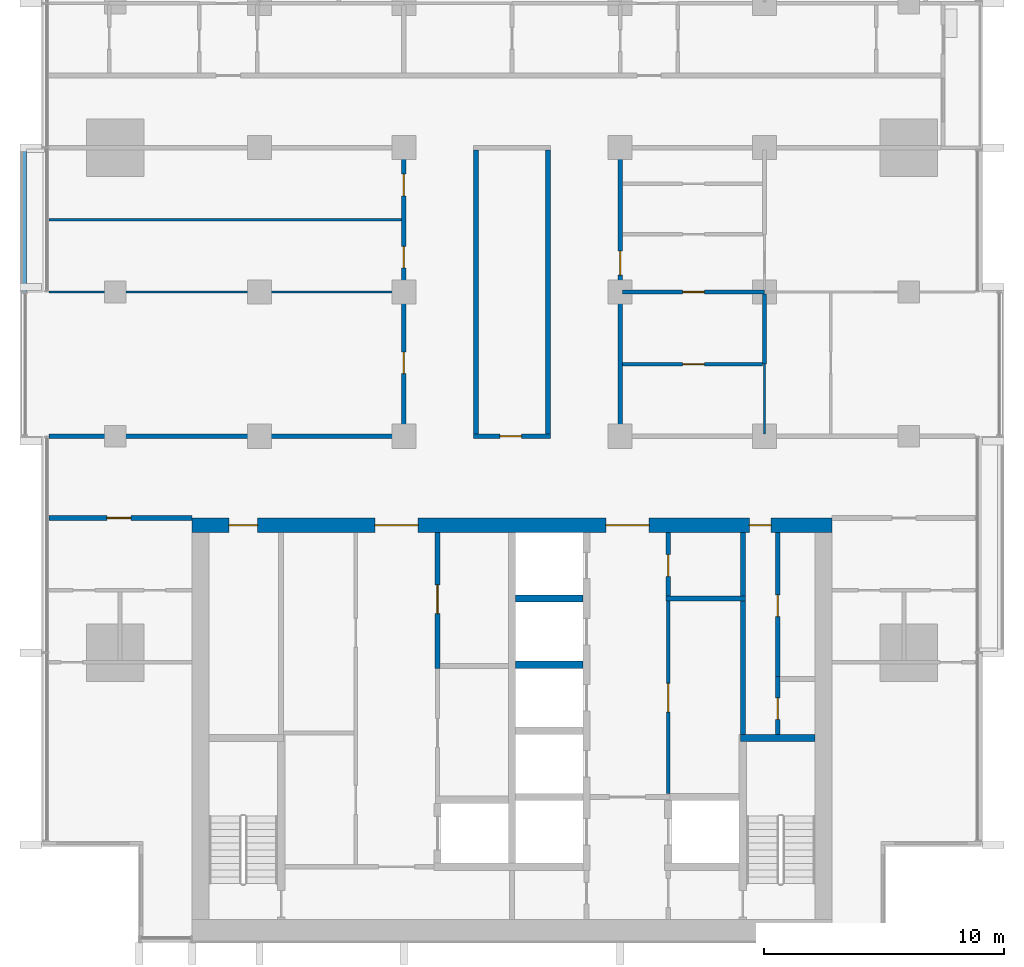
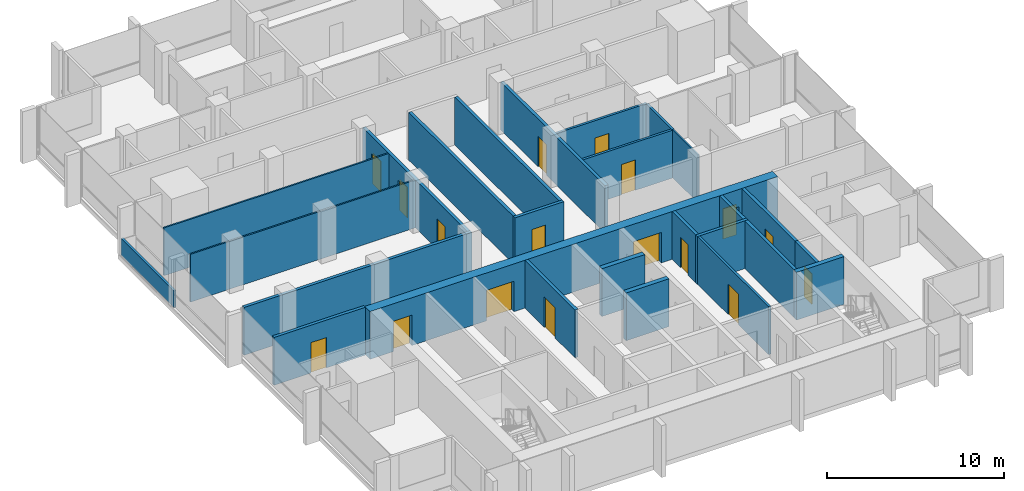
# One storey, part 8 of 16: 26 walls, 17 doors, 17 openings.
"""IFC4 building model written with IfcOpenShell, lengths in metres."""

from ifc_helpers import new_model, si_unit, direction, frame, frame_2d, origin, place, context, subcontext, project, spatial, rectangle, extrude, material, layer, layer_set, type_object, element, fill, save


model = new_model("IFC4")

# Units and contexts
model_context = context("Model", 3, precision=1e-05, world=origin(), true_north=direction((0.0, 1.0)))
body_context = subcontext(model_context, "Body", "Model", "MODEL_VIEW")
ifc_project = project(units=[si_unit("LENGTHUNIT", "METRE"), si_unit("AREAUNIT", "SQUARE_METRE"), si_unit("VOLUMEUNIT", "CUBIC_METRE"), si_unit("PLANEANGLEUNIT", "RADIAN"), si_unit("MASSUNIT", "GRAM", prefix="KILO")], contexts=[model_context])

# Site, building, storey
site_placement = place(None, origin())
site = spatial("IfcSite", under=ifc_project, at=site_placement, CompositionType="ELEMENT")
building_placement = place(site_placement, origin())
building = spatial("IfcBuilding", under=site, at=building_placement, Name="Finial Court Residences", CompositionType="ELEMENT")
storey_placement = place(building_placement, frame((0.0, 0.0, 156.5)))
storey = spatial("IfcBuildingStorey", under=building, at=storey_placement, Name="L38", CompositionType="ELEMENT", Elevation=156.5)

# Wall, openings, doors
ifc_material_1 = material(Name="Concrete C70/85", Category="concrete")
ifc_layer_1 = layer(ifc_material_1, 0.60009765625)
ifc_layer_set_1 = layer_set([ifc_layer_1], Name="Core outer wall 600 Concrete C70/85")
wall_type_1 = type_object("IfcWallType", Name="Core outer wall 600 Concrete C70/85", PredefinedType="SHEAR", material=ifc_layer_set_1)
wall_1_placement = place(storey_placement, frame((-13.300048828125, -8.199951171875, 0.0), z_axis=(0.0, 0.0, 1.0), x_axis=(1.0, 0.0, 0.0)))
wall_1 = element("IfcWall", 1, at=wall_1_placement, inside=storey, type_object=wall_type_1, Name="Core outer wall L38-02", PredefinedType="SHEAR", context=body_context, shape_type="SweptSolid", body=[
    extrude(rectangle(XDim=26.60009765625, YDim=0.60009765625, at=frame_2d((13.300048828125, 0.0))), origin(), (0.0, 0.0, 1.0), 3.300048828125),
])
opening_1_placement = place(wall_1_placement, frame((7.60009765625, 0.0, 0.0)))
opening_1 = element("IfcOpeningElement", 2, at=opening_1_placement, cuts=wall_1, Name="Opening L38-C04", PredefinedType="OPENING", context=body_context, shape_type="SweptSolid", body=[
    extrude(rectangle(XDim=1.800048828125, YDim=2.10009765625, at=frame_2d((0.89990234375, 1.050048828125))), frame((0.0, 0.31005859375, 0.0), z_axis=(0.0, -1.0, 0.0), x_axis=(1.0, 0.0, 0.0)), (0.0, 0.0, 1.0), 0.6201171875),
])
opening_2_placement = place(wall_1_placement, frame((17.199951171875, 0.0, 0.0)))
opening_2 = element("IfcOpeningElement", 3, at=opening_2_placement, cuts=wall_1, Name="Opening L38-C05", PredefinedType="OPENING", context=body_context, shape_type="SweptSolid", body=[
    extrude(rectangle(XDim=1.800048828125, YDim=2.10009765625, at=frame_2d((0.89990234375, 1.050048828125))), frame((0.0, 0.31005859375, 0.0), z_axis=(0.0, -1.0, 0.0), x_axis=(1.0, 0.0, 0.0)), (0.0, 0.0, 1.0), 0.6201171875),
])
opening_3_placement = place(wall_1_placement, frame((1.52490234375, 0.0, 0.0)))
opening_3 = element("IfcOpeningElement", 4, at=opening_3_placement, cuts=wall_1, Name="Opening L38-C10", PredefinedType="OPENING", context=body_context, shape_type="SweptSolid", body=[
    extrude(rectangle(XDim=1.199951171875, YDim=2.10009765625, at=frame_2d((0.60009765625, 1.050048828125))), frame((0.0, 0.31005859375, 0.0), z_axis=(0.0, -1.0, 0.0), x_axis=(1.0, 0.0, 0.0)), (0.0, 0.0, 1.0), 0.6201171875),
])
opening_4_placement = place(wall_1_placement, frame((23.175048828125, 0.0, 0.0)))
opening_4 = element("IfcOpeningElement", 5, at=opening_4_placement, cuts=wall_1, Name="Opening L38-C11", PredefinedType="OPENING", context=body_context, shape_type="SweptSolid", body=[
    extrude(rectangle(XDim=0.89990234375, YDim=2.10009765625, at=frame_2d((0.449951171875, 1.050048828125))), frame((0.0, 0.31005859375, 0.0), z_axis=(0.0, -1.0, 0.0), x_axis=(1.0, 0.0, 0.0)), (0.0, 0.0, 1.0), 0.6201171875),
])
ifc_material_2 = material(Name="Steel fire door", Category="steel")
door_type_1 = type_object("IfcDoorType", Name="Lift lobby door 1800 x 2100 EI 60", OperationType="DOUBLE_DOOR_SINGLE_SWING", PredefinedType="DOOR", material=ifc_material_2)
door_1_placement = place(opening_1_placement, origin())
door_1 = element("IfcDoor", 6, at=door_1_placement, inside=storey, type_object=door_type_1, Name="Lift lobby door L38-C04", OperationType="DOUBLE_DOOR_SINGLE_SWING", OverallHeight=2.10009765625, OverallWidth=1.800048828125, PredefinedType="DOOR", context=body_context, shape_type="SweptSolid", body=[
    extrude(rectangle(XDim=1.800048828125, YDim=2.10009765625, at=frame_2d((0.89990234375, 1.050048828125))), frame((0.0, 0.02490234375, 0.0), z_axis=(0.0, -1.0, 0.0), x_axis=(1.0, 0.0, 0.0)), (0.0, 0.0, 1.0), 0.050048828125),
])
fill(opening_1, door_1)
door_2_placement = place(opening_2_placement, origin())
door_2 = element("IfcDoor", 7, at=door_2_placement, inside=storey, type_object=door_type_1, Name="Lift lobby door L38-C05", OperationType="DOUBLE_DOOR_SINGLE_SWING", OverallHeight=2.10009765625, OverallWidth=1.800048828125, PredefinedType="DOOR", context=body_context, shape_type="SweptSolid", body=[
    extrude(rectangle(XDim=1.800048828125, YDim=2.10009765625, at=frame_2d((0.89990234375, 1.050048828125))), frame((0.0, 0.02490234375, 0.0), z_axis=(0.0, -1.0, 0.0), x_axis=(1.0, 0.0, 0.0)), (0.0, 0.0, 1.0), 0.050048828125),
])
fill(opening_2, door_2)
door_type_2 = type_object("IfcDoorType", Name="Riser room door 1200 x 2100 EI 90", OperationType="NOTDEFINED", PredefinedType="DOOR", material=ifc_material_2)
door_3_placement = place(opening_3_placement, origin())
door_3 = element("IfcDoor", 8, at=door_3_placement, inside=storey, type_object=door_type_2, Name="Riser room door L38-C10", OperationType="SINGLE_SWING_LEFT", OverallHeight=2.10009765625, OverallWidth=1.199951171875, PredefinedType="DOOR", context=body_context, shape_type="SweptSolid", body=[
    extrude(rectangle(XDim=1.199951171875, YDim=2.10009765625, at=frame_2d((0.60009765625, 1.050048828125))), frame((0.0, 0.02490234375, 0.0), z_axis=(0.0, -1.0, 0.0), x_axis=(1.0, 0.0, 0.0)), (0.0, 0.0, 1.0), 0.050048828125),
])
fill(opening_3, door_3)
door_type_3 = type_object("IfcDoorType", Name="Riser room door 900 x 2100 EI 90", OperationType="NOTDEFINED", PredefinedType="DOOR", material=ifc_material_2)
door_4_placement = place(opening_4_placement, origin())
door_4 = element("IfcDoor", 9, at=door_4_placement, inside=storey, type_object=door_type_3, Name="Riser room door L38-C11", OperationType="SINGLE_SWING_LEFT", OverallHeight=2.10009765625, OverallWidth=0.89990234375, PredefinedType="DOOR", context=body_context, shape_type="SweptSolid", body=[
    extrude(rectangle(XDim=0.89990234375, YDim=2.10009765625, at=frame_2d((0.449951171875, 1.050048828125))), frame((0.0, 0.02490234375, 0.0), z_axis=(0.0, -1.0, 0.0), x_axis=(1.0, 0.0, 0.0)), (0.0, 0.0, 1.0), 0.050048828125),
])
fill(opening_4, door_4)

# Wall, opening, door
ifc_material_3 = material(Name="Fire-rated gypsum board partition")
ifc_layer_2 = layer(ifc_material_3, 0.14990234375)
ifc_layer_set_2 = layer_set([ifc_layer_2], Name="Core room partition 150 EI 60")
wall_type_2 = type_object("IfcWallType", Name="Core room partition 150 EI 60", PredefinedType="PARTITIONING", material=ifc_layer_set_2)
wall_2_placement = place(storey_placement, frame((6.5, -11.35009765625, 0.0), z_axis=(0.0, 0.0, 1.0), x_axis=(0.0, -1.0, 0.0)))
wall_2 = element("IfcWall", 10, at=wall_2_placement, inside=storey, type_object=wall_type_2, Name="Core partition L38-29", PredefinedType="PARTITIONING", context=body_context, shape_type="SweptSolid", body=[
    extrude(rectangle(XDim=8.0, YDim=0.14990234375, at=frame_2d((4.0, 0.0))), origin(), (0.0, 0.0, 1.0), 3.300048828125),
])
opening_5_placement = place(wall_2_placement, frame((3.425048828125, 0.0, 0.0)))
opening_5 = element("IfcOpeningElement", 11, at=opening_5_placement, cuts=wall_2, Name="Opening L38-C16", PredefinedType="OPENING", context=body_context, shape_type="SweptSolid", body=[
    extrude(rectangle(XDim=1.199951171875, YDim=2.10009765625, at=frame_2d((0.60009765625, 1.050048828125))), frame((0.0, 0.0849609375, 0.0), z_axis=(0.0, -1.0, 0.0), x_axis=(1.0, 0.0, 0.0)), (0.0, 0.0, 1.0), 0.169921875),
])
door_type_4 = type_object("IfcDoorType", Name="Core room door 1200 x 2100 EI 60", OperationType="NOTDEFINED", PredefinedType="DOOR", material=ifc_material_2)
door_5_placement = place(opening_5_placement, origin())
door_5 = element("IfcDoor", 12, at=door_5_placement, inside=storey, type_object=door_type_4, Name="Core room door L38-C16", OperationType="SINGLE_SWING_RIGHT", OverallHeight=2.10009765625, OverallWidth=1.199951171875, PredefinedType="DOOR", context=body_context, shape_type="SweptSolid", body=[
    extrude(rectangle(XDim=1.199951171875, YDim=2.10009765625, at=frame_2d((0.60009765625, 1.050048828125))), frame((0.0, 0.02490234375, 0.0), z_axis=(0.0, -1.0, 0.0), x_axis=(1.0, 0.0, 0.0)), (0.0, 0.0, 1.0), 0.050048828125),
])
fill(opening_5, door_5)

ifc_material_4 = material(Name="Gypsum board")
ifc_layer_3 = layer(ifc_material_4, 0.02490234375)
ifc_material_5 = material(Name="Acoustic mineral wool in double frame")
ifc_layer_4 = layer(ifc_material_5, 0.14990234375)
ifc_layer_5 = layer(ifc_material_4, 0.02490234375)
ifc_layer_set_3 = layer_set([ifc_layer_3, ifc_layer_4, ifc_layer_5], Name="Corridor wall 200, 1 hour")
wall_type_3 = type_object("IfcWallType", Name="Corridor wall 200, 1 hour", PredefinedType="PARTITIONING", material=ifc_layer_set_3)
wall_3_placement = place(storey_placement, frame((-19.262451171875, -7.89990234375, 0.0), z_axis=(0.0, 0.0, 1.0), x_axis=(1.0, 0.0, 0.0)))
wall_3 = element("IfcWall", 13, at=wall_3_placement, inside=storey, type_object=wall_type_3, Name="Partition L38-004", PredefinedType="PARTITIONING", context=body_context, shape_type="SweptSolid", body=[
    extrude(rectangle(XDim=5.96240234375, YDim=0.199951171875, at=frame_2d((2.981201171875, 0.0))), origin(), (0.0, 0.0, 1.0), 3.300048828125),
])
opening_6_placement = place(wall_3_placement, frame((2.412109375, 0.0, 0.0)))
opening_6 = element("IfcOpeningElement", 14, at=opening_6_placement, cuts=wall_3, Name="Opening L38-D007", PredefinedType="OPENING", context=body_context, shape_type="SweptSolid", body=[
    extrude(rectangle(XDim=1.0, YDim=2.10009765625, at=frame_2d((0.5, 1.050048828125))), frame((0.0, 0.10986328125, 0.0), z_axis=(0.0, -1.0, 0.0), x_axis=(1.0, 0.0, 0.0)), (0.0, 0.0, 1.0), 0.219970703125),
])
ifc_material_6 = material(Name="Timber door leaf in hollow metal frame", Category="wood")
door_type_5 = type_object("IfcDoorType", Name="Fire door set 1000 x 2100, 30 minutes", OperationType="SINGLE_SWING_LEFT", PredefinedType="DOOR", material=ifc_material_6)
door_6_placement = place(opening_6_placement, origin())
door_6 = element("IfcDoor", 15, at=door_6_placement, inside=storey, type_object=door_type_5, Name="Door L38-D007", OperationType="SINGLE_SWING_RIGHT", OverallHeight=2.10009765625, OverallWidth=1.0, PredefinedType="DOOR", context=body_context, shape_type="SweptSolid", body=[
    extrude(rectangle(XDim=1.0, YDim=2.10009765625, at=frame_2d((0.5, 1.050048828125))), frame((0.0, 0.02490234375, 0.0), z_axis=(0.0, -1.0, 0.0), x_axis=(1.0, 0.0, 0.0)), (0.0, 0.0, 1.0), 0.050048828125),
])
fill(opening_6, door_6)

# Wall
wall_4_placement = place(storey_placement, frame((-19.262451171875, -4.5, 0.0), z_axis=(0.0, 0.0, 1.0), x_axis=(1.0, 0.0, 0.0)))
element("IfcWall", 16, at=wall_4_placement, inside=storey, type_object=wall_type_3, Name="Partition L38-006", PredefinedType="PARTITIONING", context=body_context, shape_type="SweptSolid", body=[
    extrude(rectangle(XDim=14.862548828125, YDim=0.199951171875, at=frame_2d((7.43115234375, 0.0))), origin(), (0.0, 0.0, 1.0), 3.300048828125),
])

# Wall, opening, door
wall_5_placement = place(storey_placement, frame((-1.60009765625, -4.5, 0.0), z_axis=(0.0, 0.0, 1.0), x_axis=(1.0, 0.0, 0.0)))
wall_5 = element("IfcWall", 17, at=wall_5_placement, inside=storey, type_object=wall_type_3, Name="Partition L38-007", PredefinedType="PARTITIONING", context=body_context, shape_type="SweptSolid", body=[
    extrude(rectangle(XDim=3.2001953125, YDim=0.199951171875, at=frame_2d((1.60009765625, 0.0))), origin(), (0.0, 0.0, 1.0), 3.300048828125),
])
opening_7_placement = place(wall_5_placement, frame((1.10009765625, 0.0, 0.0)))
opening_7 = element("IfcOpeningElement", 18, at=opening_7_placement, cuts=wall_5, Name="Opening L38-D009", PredefinedType="OPENING", context=body_context, shape_type="SweptSolid", body=[
    extrude(rectangle(XDim=0.89990234375, YDim=2.10009765625, at=frame_2d((0.449951171875, 1.050048828125))), frame((0.0, 0.10986328125, 0.0), z_axis=(0.0, -1.0, 0.0), x_axis=(1.0, 0.0, 0.0)), (0.0, 0.0, 1.0), 0.219970703125),
])
door_type_6 = type_object("IfcDoorType", Name="Fire door set 900 x 2100, 30 minutes", OperationType="SINGLE_SWING_LEFT", PredefinedType="DOOR", material=ifc_material_6)
door_7_placement = place(opening_7_placement, origin())
door_7 = element("IfcDoor", 19, at=door_7_placement, inside=storey, type_object=door_type_6, Name="Door L38-D009", OperationType="SINGLE_SWING_RIGHT", OverallHeight=2.10009765625, OverallWidth=0.89990234375, PredefinedType="DOOR", context=body_context, shape_type="SweptSolid", body=[
    extrude(rectangle(XDim=0.89990234375, YDim=2.10009765625, at=frame_2d((0.449951171875, 1.050048828125))), frame((0.0, 0.02490234375, 0.0), z_axis=(0.0, -1.0, 0.0), x_axis=(1.0, 0.0, 0.0)), (0.0, 0.0, 1.0), 0.050048828125),
])
fill(opening_7, door_7)

# Wall, openings, doors
wall_6_placement = place(storey_placement, frame((-4.5, -4.39990234375, 0.0), z_axis=(0.0, 0.0, 1.0), x_axis=(0.0, 1.0, 0.0)))
wall_6 = element("IfcWall", 20, at=wall_6_placement, inside=storey, type_object=wall_type_3, Name="Partition L38-038", PredefinedType="PARTITIONING", context=body_context, shape_type="SweptSolid", body=[
    extrude(rectangle(XDim=11.7998046875, YDim=0.199951171875, at=frame_2d((5.89990234375, 0.0))), origin(), (0.0, 0.0, 1.0), 3.300048828125),
])
opening_8_placement = place(wall_6_placement, frame((2.5, 0.0, 0.0)))
opening_8 = element("IfcOpeningElement", 21, at=opening_8_placement, cuts=wall_6, Name="Opening L38-D027", PredefinedType="OPENING", context=body_context, shape_type="SweptSolid", body=[
    extrude(rectangle(XDim=0.89990234375, YDim=2.10009765625, at=frame_2d((0.449951171875, 1.050048828125))), frame((0.0, 0.10986328125, 0.0), z_axis=(0.0, -1.0, 0.0), x_axis=(1.0, 0.0, 0.0)), (0.0, 0.0, 1.0), 0.219970703125),
])
opening_9_placement = place(wall_6_placement, frame((6.89990234375, 0.0, 0.0)))
opening_9 = element("IfcOpeningElement", 22, at=opening_9_placement, cuts=wall_6, Name="Opening L38-D028", PredefinedType="OPENING", context=body_context, shape_type="SweptSolid", body=[
    extrude(rectangle(XDim=0.89990234375, YDim=2.10009765625, at=frame_2d((0.449951171875, 1.050048828125))), frame((0.0, 0.10986328125, 0.0), z_axis=(0.0, -1.0, 0.0), x_axis=(1.0, 0.0, 0.0)), (0.0, 0.0, 1.0), 0.219970703125),
])
opening_10_placement = place(wall_6_placement, frame((9.89990234375, 0.0, 0.0)))
opening_10 = element("IfcOpeningElement", 23, at=opening_10_placement, cuts=wall_6, Name="Opening L38-D029", PredefinedType="OPENING", context=body_context, shape_type="SweptSolid", body=[
    extrude(rectangle(XDim=0.89990234375, YDim=2.10009765625, at=frame_2d((0.449951171875, 1.050048828125))), frame((0.0, 0.10986328125, 0.0), z_axis=(0.0, -1.0, 0.0), x_axis=(1.0, 0.0, 0.0)), (0.0, 0.0, 1.0), 0.219970703125),
])
door_8_placement = place(opening_8_placement, origin())
door_8 = element("IfcDoor", 24, at=door_8_placement, inside=storey, type_object=door_type_6, Name="Door L38-D027", OperationType="SINGLE_SWING_RIGHT", OverallHeight=2.10009765625, OverallWidth=0.89990234375, PredefinedType="DOOR", context=body_context, shape_type="SweptSolid", body=[
    extrude(rectangle(XDim=0.89990234375, YDim=2.10009765625, at=frame_2d((0.449951171875, 1.050048828125))), frame((0.0, 0.02490234375, 0.0), z_axis=(0.0, -1.0, 0.0), x_axis=(1.0, 0.0, 0.0)), (0.0, 0.0, 1.0), 0.050048828125),
])
fill(opening_8, door_8)
door_9_placement = place(opening_9_placement, origin())
door_9 = element("IfcDoor", 25, at=door_9_placement, inside=storey, type_object=door_type_6, Name="Door L38-D028", OperationType="SINGLE_SWING_LEFT", OverallHeight=2.10009765625, OverallWidth=0.89990234375, PredefinedType="DOOR", context=body_context, shape_type="SweptSolid", body=[
    extrude(rectangle(XDim=0.89990234375, YDim=2.10009765625, at=frame_2d((0.449951171875, 1.050048828125))), frame((0.0, 0.02490234375, 0.0), z_axis=(0.0, -1.0, 0.0), x_axis=(1.0, 0.0, 0.0)), (0.0, 0.0, 1.0), 0.050048828125),
])
fill(opening_9, door_9)
door_10_placement = place(opening_10_placement, origin())
door_10 = element("IfcDoor", 26, at=door_10_placement, inside=storey, type_object=door_type_6, Name="Door L38-D029", OperationType="SINGLE_SWING_LEFT", OverallHeight=2.10009765625, OverallWidth=0.89990234375, PredefinedType="DOOR", context=body_context, shape_type="SweptSolid", body=[
    extrude(rectangle(XDim=0.89990234375, YDim=2.10009765625, at=frame_2d((0.449951171875, 1.050048828125))), frame((0.0, 0.02490234375, 0.0), z_axis=(0.0, -1.0, 0.0), x_axis=(1.0, 0.0, 0.0)), (0.0, 0.0, 1.0), 0.050048828125),
])
fill(opening_10, door_10)

# Walls
for number, where, z_axis, x_axis, name in (
    (27, (-1.5, -4.39990234375, 0.0), (0.0, 0.0, 1.0), (0.0, 1.0, 0.0), "Partition L38-041"),
    (28, (1.5, -4.39990234375, 0.0), (0.0, 0.0, 1.0), (0.0, 1.0, 0.0), "Partition L38-043"),
):
    element("IfcWall", number, at=place(storey_placement, frame(where, z_axis=z_axis, x_axis=x_axis)), inside=storey, type_object=wall_type_3, Name=name, PredefinedType="PARTITIONING", context=body_context, shape_type="SweptSolid", body=[
        extrude(rectangle(XDim=11.7998046875, YDim=0.199951171875, at=frame_2d((5.89990234375, 0.0))), origin(), (0.0, 0.0, 1.0), 3.300048828125),
    ])

# Wall, opening, door
wall_7_placement = place(storey_placement, frame((4.5, -4.39990234375, 0.0), z_axis=(0.0, 0.0, 1.0), x_axis=(0.0, 1.0, 0.0)))
wall_7 = element("IfcWall", 29, at=wall_7_placement, inside=storey, type_object=wall_type_3, Name="Partition L38-044", PredefinedType="PARTITIONING", context=body_context, shape_type="SweptSolid", body=[
    extrude(rectangle(XDim=11.7998046875, YDim=0.199951171875, at=frame_2d((5.89990234375, 0.0))), origin(), (0.0, 0.0, 1.0), 3.300048828125),
])
opening_11_placement = place(wall_7_placement, frame((6.60009765625, 0.0, 0.0)))
opening_11 = element("IfcOpeningElement", 30, at=opening_11_placement, cuts=wall_7, Name="Opening L38-D031", PredefinedType="OPENING", context=body_context, shape_type="SweptSolid", body=[
    extrude(rectangle(XDim=1.0, YDim=2.10009765625, at=frame_2d((0.5, 1.050048828125))), frame((0.0, 0.10986328125, 0.0), z_axis=(0.0, -1.0, 0.0), x_axis=(1.0, 0.0, 0.0)), (0.0, 0.0, 1.0), 0.219970703125),
])
door_11_placement = place(opening_11_placement, origin())
door_11 = element("IfcDoor", 31, at=door_11_placement, inside=storey, type_object=door_type_5, Name="Door L38-D031", OperationType="SINGLE_SWING_RIGHT", OverallHeight=2.10009765625, OverallWidth=1.0, PredefinedType="DOOR", context=body_context, shape_type="SweptSolid", body=[
    extrude(rectangle(XDim=1.0, YDim=2.10009765625, at=frame_2d((0.5, 1.050048828125))), frame((0.0, 0.02490234375, 0.0), z_axis=(0.0, -1.0, 0.0), x_axis=(1.0, 0.0, 0.0)), (0.0, 0.0, 1.0), 0.050048828125),
])
fill(opening_11, door_11)

# Walls
ifc_layer_6 = layer(ifc_material_4, 0.012451171875)
ifc_material_7 = material(Name="Mineral wool in light-gauge frame")
ifc_layer_7 = layer(ifc_material_7, 0.074951171875)
ifc_layer_8 = layer(ifc_material_4, 0.012451171875)
ifc_layer_set_4 = layer_set([ifc_layer_6, ifc_layer_7, ifc_layer_8], Name="Gypsum board partition 100")
wall_type_4 = type_object("IfcWallType", Name="Gypsum board partition 100", PredefinedType="PARTITIONING", material=ifc_layer_set_4)
for number, where, z_axis, x_axis, name in (
    (32, (-19.262451171875, 1.5, 0.0), (0.0, 0.0, 1.0), (1.0, 0.0, 0.0), "Partition L38-010"),
    (33, (-19.262451171875, 4.5, 0.0), (0.0, 0.0, 1.0), (1.0, 0.0, 0.0), "Partition L38-014"),
):
    element("IfcWall", number, at=place(storey_placement, frame(where, z_axis=z_axis, x_axis=x_axis)), inside=storey, type_object=wall_type_4, Name=name, PredefinedType="PARTITIONING", context=body_context, shape_type="SweptSolid", body=[
        extrude(rectangle(XDim=14.662353515625, YDim=0.10009765625, at=frame_2d((7.3310546875, 0.0))), origin(), (0.0, 0.0, 1.0), 3.300048828125),
    ])
wall_8_placement = place(storey_placement, frame((10.5, -4.39990234375, 0.0), z_axis=(0.0, 0.0, 1.0), x_axis=(0.0, 1.0, 0.0)))
element("IfcWall", 34, at=wall_8_placement, inside=storey, type_object=wall_type_4, Name="Partition L38-048", PredefinedType="PARTITIONING", context=body_context, shape_type="SweptSolid", body=[
    extrude(rectangle(XDim=2.89990234375, YDim=0.10009765625, at=frame_2d((1.449951171875, 0.0))), origin(), (0.0, 0.0, 1.0), 3.300048828125),
])

# Wall, opening, door
ifc_material_8 = material(Name="Moisture-resistant gypsum board")
ifc_layer_9 = layer(ifc_material_8, 0.012451171875)
ifc_layer_10 = layer(ifc_material_7, 0.125)
ifc_layer_11 = layer(ifc_material_8, 0.012451171875)
ifc_layer_set_5 = layer_set([ifc_layer_9, ifc_layer_10, ifc_layer_11], Name="Gypsum board wet-area partition 150")
wall_type_5 = type_object("IfcWallType", Name="Gypsum board wet-area partition 150", PredefinedType="PARTITIONING", material=ifc_layer_set_5)
wall_9_placement = place(storey_placement, frame((4.60009765625, -1.5, 0.0), z_axis=(0.0, 0.0, 1.0), x_axis=(1.0, 0.0, 0.0)))
wall_9 = element("IfcWall", 35, at=wall_9_placement, inside=storey, type_object=wall_type_5, Name="Partition L38-009", PredefinedType="PARTITIONING", context=body_context, shape_type="SweptSolid", body=[
    extrude(rectangle(XDim=5.824951171875, YDim=0.14990234375, at=frame_2d((2.91259765625, 0.0))), origin(), (0.0, 0.0, 1.0), 3.300048828125),
])
opening_12_placement = place(wall_9_placement, frame((2.5, 0.0, 0.0)))
opening_12 = element("IfcOpeningElement", 36, at=opening_12_placement, cuts=wall_9, Name="Opening L38-D010", PredefinedType="OPENING", context=body_context, shape_type="SweptSolid", body=[
    extrude(rectangle(XDim=0.89990234375, YDim=2.10009765625, at=frame_2d((0.449951171875, 1.050048828125))), frame((0.0, 0.0849609375, 0.0), z_axis=(0.0, -1.0, 0.0), x_axis=(1.0, 0.0, 0.0)), (0.0, 0.0, 1.0), 0.169921875),
])
ifc_material_9 = material(Name="Timber door leaf in timber frame", Category="wood")
door_type_7 = type_object("IfcDoorType", Name="Door set 900 x 2100", OperationType="SINGLE_SWING_LEFT", PredefinedType="DOOR", material=ifc_material_9)
door_12_placement = place(opening_12_placement, origin())
door_12 = element("IfcDoor", 37, at=door_12_placement, inside=storey, type_object=door_type_7, Name="Door L38-D010", OperationType="SINGLE_SWING_RIGHT", OverallHeight=2.10009765625, OverallWidth=0.89990234375, PredefinedType="DOOR", context=body_context, shape_type="SweptSolid", body=[
    extrude(rectangle(XDim=0.89990234375, YDim=2.10009765625, at=frame_2d((0.449951171875, 1.050048828125))), frame((0.0, 0.02490234375, 0.0), z_axis=(0.0, -1.0, 0.0), x_axis=(1.0, 0.0, 0.0)), (0.0, 0.0, 1.0), 0.050048828125),
])
fill(opening_12, door_12)

wall_10_placement = place(storey_placement, frame((4.60009765625, 1.5, 0.0), z_axis=(0.0, 0.0, 1.0), x_axis=(1.0, 0.0, 0.0)))
wall_10 = element("IfcWall", 38, at=wall_10_placement, inside=storey, type_object=wall_type_5, Name="Partition L38-012", PredefinedType="PARTITIONING", context=body_context, shape_type="SweptSolid", body=[
    extrude(rectangle(XDim=5.89990234375, YDim=0.14990234375, at=frame_2d((2.949951171875, 0.0))), origin(), (0.0, 0.0, 1.0), 3.300048828125),
])
opening_13_placement = place(wall_10_placement, frame((2.5, 0.0, 0.0)))
opening_13 = element("IfcOpeningElement", 39, at=opening_13_placement, cuts=wall_10, Name="Opening L38-D012", PredefinedType="OPENING", context=body_context, shape_type="SweptSolid", body=[
    extrude(rectangle(XDim=0.89990234375, YDim=2.10009765625, at=frame_2d((0.449951171875, 1.050048828125))), frame((0.0, 0.0849609375, 0.0), z_axis=(0.0, -1.0, 0.0), x_axis=(1.0, 0.0, 0.0)), (0.0, 0.0, 1.0), 0.169921875),
])
door_13_placement = place(opening_13_placement, origin())
door_13 = element("IfcDoor", 40, at=door_13_placement, inside=storey, type_object=door_type_7, Name="Door L38-D012", OperationType="SINGLE_SWING_RIGHT", OverallHeight=2.10009765625, OverallWidth=0.89990234375, PredefinedType="DOOR", context=body_context, shape_type="SweptSolid", body=[
    extrude(rectangle(XDim=0.89990234375, YDim=2.10009765625, at=frame_2d((0.449951171875, 1.050048828125))), frame((0.0, 0.02490234375, 0.0), z_axis=(0.0, -1.0, 0.0), x_axis=(1.0, 0.0, 0.0)), (0.0, 0.0, 1.0), 0.050048828125),
])
fill(opening_13, door_13)

# Walls
wall_11_placement = place(storey_placement, frame((10.5, -1.5, 0.0), z_axis=(0.0, 0.0, 1.0), x_axis=(0.0, 1.0, 0.0)))
element("IfcWall", 41, at=wall_11_placement, inside=storey, type_object=wall_type_5, Name="Partition L38-051", PredefinedType="PARTITIONING", context=body_context, shape_type="SweptSolid", body=[
    extrude(rectangle(XDim=2.925048828125, YDim=0.14990234375, at=frame_2d((1.46240234375, 0.0))), origin(), (0.0, 0.0, 1.0), 3.300048828125),
])
ifc_material_10 = material(Name="Concrete C35/45", Category="concrete")
ifc_layer_12 = layer(ifc_material_10, 0.14990234375)
ifc_layer_set_6 = layer_set([ifc_layer_12], Name="Ledge parapet, Concrete C35/45 150")
wall_type_6 = type_object("IfcWallType", Name="Ledge parapet, Concrete C35/45 150", PredefinedType="PARAPET", material=ifc_layer_set_6)
wall_12_placement = place(storey_placement, frame((-20.27490234375, 1.447509765625, 0.0), z_axis=(0.0, 0.0, 1.0), x_axis=(0.0, 1.0, 0.0)))
element("IfcWall", 42, at=wall_12_placement, inside=storey, type_object=wall_type_6, Name="E-L38-LED1-P1", PredefinedType="PARAPET", context=body_context, shape_type="SweptSolid", body=[
    extrude(rectangle(XDim=6.00244140625, YDim=0.14990234375, at=frame_2d((3.001220703125, 0.0))), origin(), (0.0, 0.0, 1.0), 1.14990234375),
])
ifc_layer_13 = layer(ifc_material_1, 0.300048828125)
ifc_layer_set_7 = layer_set([ifc_layer_13], Name="Lift shaft and stair wall 300 Concrete C70/85")
wall_type_7 = type_object("IfcWallType", Name="Lift shaft and stair wall 300 Concrete C70/85", PredefinedType="SHEAR", material=ifc_layer_set_7)
wall_13_placement = place(storey_placement, frame((9.5, -17.050048828125, 0.0), z_axis=(0.0, 0.0, 1.0), x_axis=(1.0, 0.0, 0.0)))
element("IfcWall", 43, at=wall_13_placement, inside=storey, type_object=wall_type_7, Name="Core wall L38-09", PredefinedType="SHEAR", context=body_context, shape_type="SweptSolid", body=[
    extrude(rectangle(XDim=3.10009765625, YDim=0.300048828125, at=frame_2d((1.550048828125, 0.0))), origin(), (0.0, 0.0, 1.0), 3.300048828125),
])
for number, where, z_axis, x_axis, name in (
    (44, (0.14990234375, -14.0, 0.0), (0.0, 0.0, 1.0), (1.0, 0.0, 0.0), "Core wall L38-14"),
    (45, (0.14990234375, -11.25, 0.0), (0.0, 0.0, 1.0), (1.0, 0.0, 0.0), "Core wall L38-15"),
):
    element("IfcWall", number, at=place(storey_placement, frame(where, z_axis=z_axis, x_axis=x_axis)), inside=storey, type_object=wall_type_7, Name=name, PredefinedType="SHEAR", context=body_context, shape_type="SweptSolid", body=[
        extrude(rectangle(XDim=2.800048828125, YDim=0.300048828125, at=frame_2d((1.39990234375, 0.0))), origin(), (0.0, 0.0, 1.0), 3.300048828125),
    ])
ifc_layer_14 = layer(ifc_material_3, 0.199951171875)
ifc_layer_set_8 = layer_set([ifc_layer_14], Name="Riser room wall 200 EI 120")
wall_type_8 = type_object("IfcWallType", Name="Riser room wall 200 EI 120", PredefinedType="PARTITIONING", material=ifc_layer_set_8)
wall_14_placement = place(storey_placement, frame((6.39990234375, -11.25, 0.0), z_axis=(0.0, 0.0, 1.0), x_axis=(1.0, 0.0, 0.0)))
element("IfcWall", 46, at=wall_14_placement, inside=storey, type_object=wall_type_8, Name="Core partition L38-16", PredefinedType="PARTITIONING", context=body_context, shape_type="SweptSolid", body=[
    extrude(rectangle(XDim=3.300048828125, YDim=0.199951171875, at=frame_2d((1.64990234375, 0.0))), origin(), (0.0, 0.0, 1.0), 3.300048828125),
])

# Wall, opening, door
wall_15_placement = place(storey_placement, frame((-3.10009765625, -8.5, 0.0), z_axis=(0.0, 0.0, 1.0), x_axis=(0.0, -1.0, 0.0)))
wall_15 = element("IfcWall", 47, at=wall_15_placement, inside=storey, type_object=wall_type_8, Name="Core partition L38-22", PredefinedType="PARTITIONING", context=body_context, shape_type="SweptSolid", body=[
    extrude(rectangle(XDim=5.659912109375, YDim=0.199951171875, at=frame_2d((2.830078125, 0.0))), origin(), (0.0, 0.0, 1.0), 3.300048828125),
])
opening_14_placement = place(wall_15_placement, frame((2.179931640625, 0.0, 0.0)))
opening_14 = element("IfcOpeningElement", 48, at=opening_14_placement, cuts=wall_15, Name="Opening L38-C08", PredefinedType="OPENING", context=body_context, shape_type="SweptSolid", body=[
    extrude(rectangle(XDim=1.199951171875, YDim=2.10009765625, at=frame_2d((0.60009765625, 1.050048828125))), frame((0.0, 0.10986328125, 0.0), z_axis=(0.0, -1.0, 0.0), x_axis=(1.0, 0.0, 0.0)), (0.0, 0.0, 1.0), 0.219970703125),
])
door_14_placement = place(opening_14_placement, origin())
door_14 = element("IfcDoor", 49, at=door_14_placement, inside=storey, type_object=door_type_2, Name="Riser room door L38-C08", OperationType="SINGLE_SWING_LEFT", OverallHeight=2.10009765625, OverallWidth=1.199951171875, PredefinedType="DOOR", context=body_context, shape_type="SweptSolid", body=[
    extrude(rectangle(XDim=1.199951171875, YDim=2.10009765625, at=frame_2d((0.60009765625, 1.050048828125))), frame((0.0, 0.02490234375, 0.0), z_axis=(0.0, -1.0, 0.0), x_axis=(1.0, 0.0, 0.0)), (0.0, 0.0, 1.0), 0.050048828125),
])
fill(opening_14, door_14)

wall_16_placement = place(storey_placement, frame((6.5, -8.5, 0.0), z_axis=(0.0, 0.0, 1.0), x_axis=(0.0, -1.0, 0.0)))
wall_16 = element("IfcWall", 50, at=wall_16_placement, inside=storey, type_object=wall_type_8, Name="Core partition L38-30", PredefinedType="PARTITIONING", context=body_context, shape_type="SweptSolid", body=[
    extrude(rectangle(XDim=2.64990234375, YDim=0.199951171875, at=frame_2d((1.324951171875, 0.0))), origin(), (0.0, 0.0, 1.0), 3.300048828125),
])
opening_15_placement = place(wall_16_placement, frame((0.925048828125, 0.0, 0.0)))
opening_15 = element("IfcOpeningElement", 51, at=opening_15_placement, cuts=wall_16, Name="Opening L38-C09", PredefinedType="OPENING", context=body_context, shape_type="SweptSolid", body=[
    extrude(rectangle(XDim=0.89990234375, YDim=2.10009765625, at=frame_2d((0.449951171875, 1.050048828125))), frame((0.0, 0.10986328125, 0.0), z_axis=(0.0, -1.0, 0.0), x_axis=(1.0, 0.0, 0.0)), (0.0, 0.0, 1.0), 0.219970703125),
])
door_15_placement = place(opening_15_placement, origin())
door_15 = element("IfcDoor", 52, at=door_15_placement, inside=storey, type_object=door_type_3, Name="Riser room door L38-C09", OperationType="SINGLE_SWING_RIGHT", OverallHeight=2.10009765625, OverallWidth=0.89990234375, PredefinedType="DOOR", context=body_context, shape_type="SweptSolid", body=[
    extrude(rectangle(XDim=0.89990234375, YDim=2.10009765625, at=frame_2d((0.449951171875, 1.050048828125))), frame((0.0, 0.02490234375, 0.0), z_axis=(0.0, -1.0, 0.0), x_axis=(1.0, 0.0, 0.0)), (0.0, 0.0, 1.0), 0.050048828125),
])
fill(opening_15, door_15)

# Wall
wall_17_placement = place(storey_placement, frame((9.60009765625, -11.14990234375, 0.0), z_axis=(0.0, 0.0, 1.0), x_axis=(0.0, 1.0, 0.0)))
element("IfcWall", 53, at=wall_17_placement, inside=storey, type_object=wall_type_8, Name="Core partition L38-33", PredefinedType="PARTITIONING", context=body_context, shape_type="SweptSolid", body=[
    extrude(rectangle(XDim=2.64990234375, YDim=0.199951171875, at=frame_2d((1.324951171875, 0.0))), origin(), (0.0, 0.0, 1.0), 3.300048828125),
])

# Wall, opening, door
wall_18_placement = place(storey_placement, frame((11.050048828125, -8.5, 0.0), z_axis=(0.0, 0.0, 1.0), x_axis=(0.0, -1.0, 0.0)))
wall_18 = element("IfcWall", 54, at=wall_18_placement, inside=storey, type_object=wall_type_8, Name="Core partition L38-35", PredefinedType="PARTITIONING", context=body_context, shape_type="SweptSolid", body=[
    extrude(rectangle(XDim=6.199951171875, YDim=0.199951171875, at=frame_2d((3.10009765625, 0.0))), origin(), (0.0, 0.0, 1.0), 3.300048828125),
])
opening_16_placement = place(wall_18_placement, frame((2.60009765625, 0.0, 0.0)))
opening_16 = element("IfcOpeningElement", 55, at=opening_16_placement, cuts=wall_18, Name="Opening L38-C07", PredefinedType="OPENING", context=body_context, shape_type="SweptSolid", body=[
    extrude(rectangle(XDim=0.89990234375, YDim=2.10009765625, at=frame_2d((0.449951171875, 1.050048828125))), frame((0.0, 0.10986328125, 0.0), z_axis=(0.0, -1.0, 0.0), x_axis=(1.0, 0.0, 0.0)), (0.0, 0.0, 1.0), 0.219970703125),
])
door_16_placement = place(opening_16_placement, origin())
door_16 = element("IfcDoor", 56, at=door_16_placement, inside=storey, type_object=door_type_3, Name="Riser room door L38-C07", OperationType="SINGLE_SWING_RIGHT", OverallHeight=2.10009765625, OverallWidth=0.89990234375, PredefinedType="DOOR", context=body_context, shape_type="SweptSolid", body=[
    extrude(rectangle(XDim=0.89990234375, YDim=2.10009765625, at=frame_2d((0.449951171875, 1.050048828125))), frame((0.0, 0.02490234375, 0.0), z_axis=(0.0, -1.0, 0.0), x_axis=(1.0, 0.0, 0.0)), (0.0, 0.0, 1.0), 0.050048828125),
])
fill(opening_16, door_16)

# Wall
ifc_layer_15 = layer(ifc_material_3, 0.199951171875)
ifc_layer_set_9 = layer_set([ifc_layer_15], Name="Stair passage wall 200 EI 180")
wall_type_9 = type_object("IfcWallType", Name="Stair passage wall 200 EI 180", PredefinedType="PARTITIONING", material=ifc_layer_set_9)
wall_19_placement = place(storey_placement, frame((9.60009765625, -16.89990234375, 0.0), z_axis=(0.0, 0.0, 1.0), x_axis=(0.0, 1.0, 0.0)))
element("IfcWall", 57, at=wall_19_placement, inside=storey, type_object=wall_type_9, Name="Core partition L38-32", PredefinedType="PARTITIONING", context=body_context, shape_type="SweptSolid", body=[
    extrude(rectangle(XDim=5.75, YDim=0.199951171875, at=frame_2d((2.875, 0.0))), origin(), (0.0, 0.0, 1.0), 3.300048828125),
])

# Wall, opening, door
wall_20_placement = place(storey_placement, frame((11.050048828125, -14.5, 0.0), z_axis=(0.0, 0.0, 1.0), x_axis=(0.0, -1.0, 0.0)))
wall_20 = element("IfcWall", 58, at=wall_20_placement, inside=storey, type_object=wall_type_9, Name="Core partition L38-34", PredefinedType="PARTITIONING", context=body_context, shape_type="SweptSolid", body=[
    extrude(rectangle(XDim=2.39990234375, YDim=0.199951171875, at=frame_2d((1.199951171875, 0.0))), origin(), (0.0, 0.0, 1.0), 3.300048828125),
])
opening_17_placement = place(wall_20_placement, frame((0.875, 0.0, 0.0)))
opening_17 = element("IfcOpeningElement", 59, at=opening_17_placement, cuts=wall_20, Name="Opening L38-C12", PredefinedType="OPENING", context=body_context, shape_type="SweptSolid", body=[
    extrude(rectangle(XDim=0.89990234375, YDim=2.10009765625, at=frame_2d((0.449951171875, 1.050048828125))), frame((0.0, 0.10986328125, 0.0), z_axis=(0.0, -1.0, 0.0), x_axis=(1.0, 0.0, 0.0)), (0.0, 0.0, 1.0), 0.219970703125),
])
door_type_8 = type_object("IfcDoorType", Name="Core room door 900 x 2100 EI 60", OperationType="NOTDEFINED", PredefinedType="DOOR", material=ifc_material_2)
door_17_placement = place(opening_17_placement, origin())
door_17 = element("IfcDoor", 60, at=door_17_placement, inside=storey, type_object=door_type_8, Name="Core room door L38-C12", OperationType="SINGLE_SWING_LEFT", OverallHeight=2.10009765625, OverallWidth=0.89990234375, PredefinedType="DOOR", context=body_context, shape_type="SweptSolid", body=[
    extrude(rectangle(XDim=0.89990234375, YDim=2.10009765625, at=frame_2d((0.449951171875, 1.050048828125))), frame((0.0, 0.02490234375, 0.0), z_axis=(0.0, -1.0, 0.0), x_axis=(1.0, 0.0, 0.0)), (0.0, 0.0, 1.0), 0.050048828125),
])
fill(opening_17, door_17)

save(model, "model.ifc")
